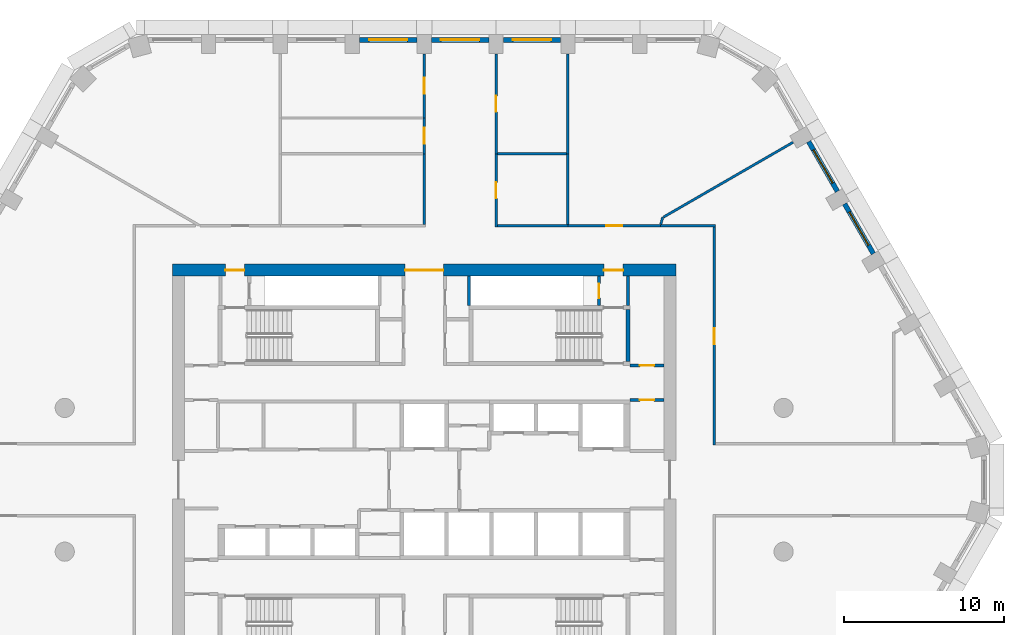
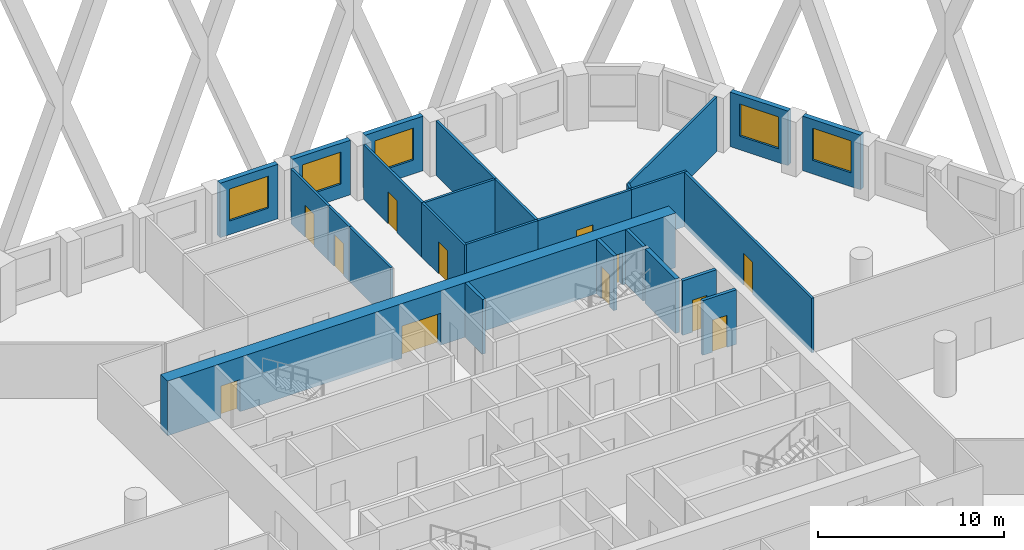
# One storey, part 7 of 17: 26 walls, 12 doors, 5 windows, 17 openings.
"""IFC4 building model written with IfcOpenShell, lengths in metres."""

from ifc_helpers import new_model, si_unit, direction, frame, frame_2d, origin, place, context, subcontext, project, spatial, rectangle, extrude, material, layer, layer_set, type_object, element, fill, save


model = new_model("IFC4")

# Units and contexts
model_context = context("Model", 3, precision=1e-05, world=origin(), true_north=direction((0.0, 1.0)))
body_context = subcontext(model_context, "Body", "Model", "MODEL_VIEW")
ifc_project = project(units=[si_unit("LENGTHUNIT", "METRE"), si_unit("AREAUNIT", "SQUARE_METRE"), si_unit("VOLUMEUNIT", "CUBIC_METRE"), si_unit("PLANEANGLEUNIT", "RADIAN"), si_unit("MASSUNIT", "GRAM", prefix="KILO")], contexts=[model_context])

# Site, building, storey
site_placement = place(None, origin())
site = spatial("IfcSite", under=ifc_project, at=site_placement, CompositionType="ELEMENT")
building_placement = place(site_placement, origin())
building = spatial("IfcBuilding", under=site, at=building_placement, Name="Dhurran Vertical Campus", CompositionType="ELEMENT")
storey_placement = place(building_placement, frame((0.0, 0.0, 156.0)))
storey = spatial("IfcBuildingStorey", under=building, at=storey_placement, Name="L38", CompositionType="ELEMENT", Elevation=156.0)

# Wall, opening, window
ifc_material_1 = material(Name="Precast concrete C50/60", Category="concrete")
ifc_layer_1 = layer(ifc_material_1, 0.300048828125)
ifc_layer_set_1 = layer_set([ifc_layer_1], Name="Precast concrete C50/60")
wall_type_1 = type_object("IfcWallType", Name="Precast spandrel wall 300", PredefinedType="SOLIDWALL", material=ifc_layer_set_1)
wall_1_placement = place(storey_placement, frame((28.118896484375, 14.156494140625, 0.0), z_axis=(0.0, 0.0, 1.0), x_axis=(-0.500027802648, 0.866009351323, 0.0)))
wall_1 = element("IfcWall", 1, at=wall_1_placement, inside=storey, type_object=wall_type_1, Name="EW1 L38.19", PredefinedType="SOLIDWALL", context=body_context, shape_type="SweptSolid", body=[
    extrude(rectangle(XDim=3.598876953125, YDim=0.300048828125, at=frame_2d((1.79931640625, 0.0))), origin(), (0.0, 0.0, 1.0), 3.574951171875),
])
opening_1_placement = place(wall_1_placement, frame((0.599609375, 0.0, 0.89990234375)))
opening_1 = element("IfcOpeningElement", 2, at=opening_1_placement, cuts=wall_1, Name="Opening WT1", PredefinedType="OPENING", context=body_context, shape_type="SweptSolid", body=[
    extrude(rectangle(XDim=2.39990234375, YDim=2.10009765625, at=frame_2d((1.199951171875, 1.050048828125))), frame((0.0, 0.159912109375, 0.0), z_axis=(0.0, -1.0, 0.0), x_axis=(1.0, 0.0, 0.0)), (0.0, 0.0, 1.0), 0.320068359375),
])
ifc_material_2 = material(Name="Aluminium frame with solar-control glass", Category="aluminium")
window_type = type_object("IfcWindowType", Name="Punched window 2400 x 2100", PartitioningType="SINGLE_PANEL", PredefinedType="WINDOW", material=ifc_material_2)
window_1_placement = place(opening_1_placement, origin())
window_1 = element("IfcWindow", 3, at=window_1_placement, inside=storey, type_object=window_type, Name="WT1 L38.19", OverallHeight=2.10009765625, OverallWidth=2.39990234375, PartitioningType="SINGLE_PANEL", PredefinedType="WINDOW", context=body_context, shape_type="SweptSolid", body=[
    extrude(rectangle(XDim=2.39990234375, YDim=2.10009765625, at=frame_2d((1.199951171875, 1.050048828125))), frame((0.0, 0.030029296875, 0.0), z_axis=(0.0, -1.0, 0.0), x_axis=(1.0, 0.0, 0.0)), (0.0, 0.0, 1.0), 0.06005859375),
])
fill(opening_1, window_1)

wall_2_placement = place(storey_placement, frame((25.868896484375, 18.0537109375, 0.0), z_axis=(0.0, 0.0, 1.0), x_axis=(-0.500027802648, 0.866009351323, 0.0)))
wall_2 = element("IfcWall", 4, at=wall_2_placement, inside=storey, type_object=wall_type_1, Name="EW1 L38.20", PredefinedType="SOLIDWALL", context=body_context, shape_type="SweptSolid", body=[
    extrude(rectangle(XDim=3.598876953125, YDim=0.300048828125, at=frame_2d((1.79931640625, 0.0))), origin(), (0.0, 0.0, 1.0), 3.574951171875),
])
opening_2_placement = place(wall_2_placement, frame((0.599609375, 0.0, 0.89990234375)))
opening_2 = element("IfcOpeningElement", 5, at=opening_2_placement, cuts=wall_2, Name="Opening WT1", PredefinedType="OPENING", context=body_context, shape_type="SweptSolid", body=[
    extrude(rectangle(XDim=2.39990234375, YDim=2.10009765625, at=frame_2d((1.199951171875, 1.050048828125))), frame((0.0, 0.159912109375, 0.0), z_axis=(0.0, -1.0, 0.0), x_axis=(1.0, 0.0, 0.0)), (0.0, 0.0, 1.0), 0.320068359375),
])
window_2_placement = place(opening_2_placement, origin())
window_2 = element("IfcWindow", 6, at=window_2_placement, inside=storey, type_object=window_type, Name="WT1 L38.20", OverallHeight=2.10009765625, OverallWidth=2.39990234375, PartitioningType="SINGLE_PANEL", PredefinedType="WINDOW", context=body_context, shape_type="SweptSolid", body=[
    extrude(rectangle(XDim=2.39990234375, YDim=2.10009765625, at=frame_2d((1.199951171875, 1.050048828125))), frame((0.0, 0.030029296875, 0.0), z_axis=(0.0, -1.0, 0.0), x_axis=(1.0, 0.0, 0.0)), (0.0, 0.0, 1.0), 0.06005859375),
])
fill(opening_2, window_2)

wall_3_placement = place(storey_placement, frame((8.549560546875, 27.53271484375, 0.0), z_axis=(0.0, 0.0, 1.0), x_axis=(-1.0, 0.0, 0.0)))
wall_3 = element("IfcWall", 7, at=wall_3_placement, inside=storey, type_object=wall_type_1, Name="EW1 L38.25", PredefinedType="SOLIDWALL", context=body_context, shape_type="SweptSolid", body=[
    extrude(rectangle(XDim=3.59912109375, YDim=0.300048828125, at=frame_2d((1.799560546875, 0.0))), origin(), (0.0, 0.0, 1.0), 3.574951171875),
])
opening_3_placement = place(wall_3_placement, frame((0.599609375, 0.0, 0.89990234375)))
opening_3 = element("IfcOpeningElement", 8, at=opening_3_placement, cuts=wall_3, Name="Opening WT1", PredefinedType="OPENING", context=body_context, shape_type="SweptSolid", body=[
    extrude(rectangle(XDim=2.39990234375, YDim=2.10009765625, at=frame_2d((1.199951171875, 1.050048828125))), frame((0.0, 0.159912109375, 0.0), z_axis=(0.0, -1.0, 0.0), x_axis=(1.0, 0.0, 0.0)), (0.0, 0.0, 1.0), 0.320068359375),
])
window_3_placement = place(opening_3_placement, origin())
window_3 = element("IfcWindow", 9, at=window_3_placement, inside=storey, type_object=window_type, Name="WT1 L38.25", OverallHeight=2.10009765625, OverallWidth=2.39990234375, PartitioningType="SINGLE_PANEL", PredefinedType="WINDOW", context=body_context, shape_type="SweptSolid", body=[
    extrude(rectangle(XDim=2.39990234375, YDim=2.10009765625, at=frame_2d((1.199951171875, 1.050048828125))), frame((0.0, 0.030029296875, 0.0), z_axis=(0.0, -1.0, 0.0), x_axis=(1.0, 0.0, 0.0)), (0.0, 0.0, 1.0), 0.06005859375),
])
fill(opening_3, window_3)

wall_4_placement = place(storey_placement, frame((4.049560546875, 27.53271484375, 0.0), z_axis=(0.0, 0.0, 1.0), x_axis=(-1.0, 0.0, 0.0)))
wall_4 = element("IfcWall", 10, at=wall_4_placement, inside=storey, type_object=wall_type_1, Name="EW1 L38.26", PredefinedType="SOLIDWALL", context=body_context, shape_type="SweptSolid", body=[
    extrude(rectangle(XDim=3.59912109375, YDim=0.300048828125, at=frame_2d((1.799560546875, 0.0))), origin(), (0.0, 0.0, 1.0), 3.574951171875),
])
opening_4_placement = place(wall_4_placement, frame((0.599609375, 0.0, 0.89990234375)))
opening_4 = element("IfcOpeningElement", 11, at=opening_4_placement, cuts=wall_4, Name="Opening WT1", PredefinedType="OPENING", context=body_context, shape_type="SweptSolid", body=[
    extrude(rectangle(XDim=2.39990234375, YDim=2.10009765625, at=frame_2d((1.199951171875, 1.050048828125))), frame((0.0, 0.159912109375, 0.0), z_axis=(0.0, -1.0, 0.0), x_axis=(1.0, 0.0, 0.0)), (0.0, 0.0, 1.0), 0.320068359375),
])
window_4_placement = place(opening_4_placement, origin())
window_4 = element("IfcWindow", 12, at=window_4_placement, inside=storey, type_object=window_type, Name="WT1 L38.26", OverallHeight=2.10009765625, OverallWidth=2.39990234375, PartitioningType="SINGLE_PANEL", PredefinedType="WINDOW", context=body_context, shape_type="SweptSolid", body=[
    extrude(rectangle(XDim=2.39990234375, YDim=2.10009765625, at=frame_2d((1.199951171875, 1.050048828125))), frame((0.0, 0.030029296875, 0.0), z_axis=(0.0, -1.0, 0.0), x_axis=(1.0, 0.0, 0.0)), (0.0, 0.0, 1.0), 0.06005859375),
])
fill(opening_4, window_4)

wall_5_placement = place(storey_placement, frame((-0.450439453125, 27.53271484375, 0.0), z_axis=(0.0, 0.0, 1.0), x_axis=(-1.0, 0.0, 0.0)))
wall_5 = element("IfcWall", 13, at=wall_5_placement, inside=storey, type_object=wall_type_1, Name="EW1 L38.27", PredefinedType="SOLIDWALL", context=body_context, shape_type="SweptSolid", body=[
    extrude(rectangle(XDim=3.59912109375, YDim=0.300048828125, at=frame_2d((1.799560546875, 0.0))), origin(), (0.0, 0.0, 1.0), 3.574951171875),
])
opening_5_placement = place(wall_5_placement, frame((0.599609375, 0.0, 0.89990234375)))
opening_5 = element("IfcOpeningElement", 14, at=opening_5_placement, cuts=wall_5, Name="Opening WT1", PredefinedType="OPENING", context=body_context, shape_type="SweptSolid", body=[
    extrude(rectangle(XDim=2.39990234375, YDim=2.10009765625, at=frame_2d((1.199951171875, 1.050048828125))), frame((0.0, 0.159912109375, 0.0), z_axis=(0.0, -1.0, 0.0), x_axis=(1.0, 0.0, 0.0)), (0.0, 0.0, 1.0), 0.320068359375),
])
window_5_placement = place(opening_5_placement, origin())
window_5 = element("IfcWindow", 15, at=window_5_placement, inside=storey, type_object=window_type, Name="WT1 L38.27", OverallHeight=2.10009765625, OverallWidth=2.39990234375, PartitioningType="SINGLE_PANEL", PredefinedType="WINDOW", context=body_context, shape_type="SweptSolid", body=[
    extrude(rectangle(XDim=2.39990234375, YDim=2.10009765625, at=frame_2d((1.199951171875, 1.050048828125))), frame((0.0, 0.030029296875, 0.0), z_axis=(0.0, -1.0, 0.0), x_axis=(1.0, 0.0, 0.0)), (0.0, 0.0, 1.0), 0.06005859375),
])
fill(opening_5, window_5)

# Wall, openings, doors
ifc_material_3 = material(Name="Concrete C60/75", Category="concrete")
ifc_layer_2 = layer(ifc_material_3, 0.75)
ifc_layer_set_2 = layer_set([ifc_layer_2], Name="Concrete C60/75")
wall_type_2 = type_object("IfcWallType", Name="co-CORE-WALL-C1-750", PredefinedType="SHEAR", material=ifc_layer_set_2)
wall_6_placement = place(storey_placement, frame((-15.75, 13.125, 0.0), z_axis=(0.0, 0.0, 1.0), x_axis=(1.0, 0.0, 0.0)))
wall_6 = element("IfcWall", 16, at=wall_6_placement, inside=storey, type_object=wall_type_2, Name="Core wall N L38", PredefinedType="SHEAR", context=body_context, shape_type="SweptSolid", body=[
    extrude(rectangle(XDim=31.5, YDim=0.75, at=frame_2d((15.75, 0.0))), origin(), (0.0, 0.0, 1.0), 3.574951171875),
])
opening_6_placement = place(wall_6_placement, frame((14.550048828125, 0.0, 0.0)))
opening_6 = element("IfcOpeningElement", 17, at=opening_6_placement, cuts=wall_6, Name="Opening CV1", PredefinedType="OPENING", context=body_context, shape_type="SweptSolid", body=[
    extrude(rectangle(XDim=2.39990234375, YDim=2.10009765625, at=frame_2d((1.199951171875, 1.050048828125))), frame((0.0, 0.385009765625, 0.0), z_axis=(0.0, -1.0, 0.0), x_axis=(1.0, 0.0, 0.0)), (0.0, 0.0, 1.0), 0.77001953125),
])
opening_7_placement = place(wall_6_placement, frame((3.300048828125, 0.0, 0.0)))
opening_7 = element("IfcOpeningElement", 18, at=opening_7_placement, cuts=wall_6, Name="Opening XD1", PredefinedType="OPENING", context=body_context, shape_type="SweptSolid", body=[
    extrude(rectangle(XDim=1.199951171875, YDim=2.10009765625, at=frame_2d((0.60009765625, 1.050048828125))), frame((0.0, 0.385009765625, 0.0), z_axis=(0.0, -1.0, 0.0), x_axis=(1.0, 0.0, 0.0)), (0.0, 0.0, 1.0), 0.77001953125),
])
opening_8_placement = place(wall_6_placement, frame((27.0, 0.0, 0.0)))
opening_8 = element("IfcOpeningElement", 19, at=opening_8_placement, cuts=wall_6, Name="Opening XD2", PredefinedType="OPENING", context=body_context, shape_type="SweptSolid", body=[
    extrude(rectangle(XDim=1.199951171875, YDim=2.10009765625, at=frame_2d((0.60009765625, 1.050048828125))), frame((0.0, 0.385009765625, 0.0), z_axis=(0.0, -1.0, 0.0), x_axis=(1.0, 0.0, 0.0)), (0.0, 0.0, 1.0), 0.77001953125),
])
ifc_material_4 = material(Name="Fire-rated glazed door set")
door_type_1 = type_object("IfcDoorType", Name="co-D-LOBBY 2400x2100", OperationType="DOUBLE_DOOR_DOUBLE_SWING", PredefinedType="DOOR", material=ifc_material_4)
door_1_placement = place(opening_6_placement, origin())
door_1 = element("IfcDoor", 20, at=door_1_placement, inside=storey, type_object=door_type_1, Name="Core vestibule door N L38", OperationType="DOUBLE_DOOR_DOUBLE_SWING", OverallHeight=2.10009765625, OverallWidth=2.39990234375, PredefinedType="DOOR", context=body_context, shape_type="SweptSolid", body=[
    extrude(rectangle(XDim=2.39990234375, YDim=2.10009765625, at=frame_2d((1.199951171875, 1.050048828125))), frame((0.0, 0.02490234375, 0.0), z_axis=(0.0, -1.0, 0.0), x_axis=(1.0, 0.0, 0.0)), (0.0, 0.0, 1.0), 0.050048828125),
])
fill(opening_6, door_1)
ifc_material_5 = material(Name="Fire-rated steel door set", Category="steel")
door_type_2 = type_object("IfcDoorType", Name="co-D-STAIR-EXIT 1200x2100", OperationType="SINGLE_SWING_RIGHT", PredefinedType="DOOR", material=ifc_material_5)
door_2_placement = place(opening_7_placement, origin())
door_2 = element("IfcDoor", 21, at=door_2_placement, inside=storey, type_object=door_type_2, Name="Stair ST1 exit door L38", OperationType="SINGLE_SWING_RIGHT", OverallHeight=2.10009765625, OverallWidth=1.199951171875, PredefinedType="DOOR", context=body_context, shape_type="SweptSolid", body=[
    extrude(rectangle(XDim=1.199951171875, YDim=2.10009765625, at=frame_2d((0.60009765625, 1.050048828125))), frame((0.0, 0.02490234375, 0.0), z_axis=(0.0, -1.0, 0.0), x_axis=(1.0, 0.0, 0.0)), (0.0, 0.0, 1.0), 0.050048828125),
])
fill(opening_7, door_2)
door_3_placement = place(opening_8_placement, origin())
door_3 = element("IfcDoor", 22, at=door_3_placement, inside=storey, type_object=door_type_2, Name="Stair ST2 exit door L38", OperationType="SINGLE_SWING_RIGHT", OverallHeight=2.10009765625, OverallWidth=1.199951171875, PredefinedType="DOOR", context=body_context, shape_type="SweptSolid", body=[
    extrude(rectangle(XDim=1.199951171875, YDim=2.10009765625, at=frame_2d((0.60009765625, 1.050048828125))), frame((0.0, 0.02490234375, 0.0), z_axis=(0.0, -1.0, 0.0), x_axis=(1.0, 0.0, 0.0)), (0.0, 0.0, 1.0), 0.050048828125),
])
fill(opening_8, door_3)

# Wall
ifc_material_6 = material(Name="Fire-rated masonry blockwork", Category="masonry")
ifc_layer_3 = layer(ifc_material_6, 0.199951171875)
ifc_layer_set_3 = layer_set([ifc_layer_3], Name="Fire-rated masonry blockwork")
wall_type_3 = type_object("IfcWallType", Name="co-FIRE-PARTITION-200", PredefinedType="PARTITIONING", material=ifc_layer_set_3)
wall_7_placement = place(storey_placement, frame((12.75, 10.89990234375, 0.0), z_axis=(0.0, 0.0, 1.0), x_axis=(0.0, 1.0, 0.0)))
element("IfcWall", 23, at=wall_7_placement, inside=storey, type_object=wall_type_3, Name="Core partition pass-ST2-o L38", PredefinedType="PARTITIONING", context=body_context, shape_type="SweptSolid", body=[
    extrude(rectangle(XDim=1.85009765625, YDim=0.199951171875, at=frame_2d((0.925048828125, 0.0))), origin(), (0.0, 0.0, 1.0), 3.574951171875),
])

# Wall, opening, door
wall_8_placement = place(storey_placement, frame((10.949951171875, 10.89990234375, 0.0), z_axis=(0.0, 0.0, 1.0), x_axis=(0.0, 1.0, 0.0)))
wall_8 = element("IfcWall", 24, at=wall_8_placement, inside=storey, type_object=wall_type_3, Name="Core partition pass-ST2-i L38", PredefinedType="PARTITIONING", context=body_context, shape_type="SweptSolid", body=[
    extrude(rectangle(XDim=1.85009765625, YDim=0.199951171875, at=frame_2d((0.925048828125, 0.0))), origin(), (0.0, 0.0, 1.0), 3.574951171875),
])
opening_9_placement = place(wall_8_placement, frame((0.47509765625, 0.0, 0.0)))
opening_9 = element("IfcOpeningElement", 25, at=opening_9_placement, cuts=wall_8, Name="Opening T11-C9", PredefinedType="OPENING", context=body_context, shape_type="SweptSolid", body=[
    extrude(rectangle(XDim=0.89990234375, YDim=2.10009765625, at=frame_2d((0.449951171875, 1.050048828125))), frame((0.0, 0.10986328125, 0.0), z_axis=(0.0, -1.0, 0.0), x_axis=(1.0, 0.0, 0.0)), (0.0, 0.0, 1.0), 0.219970703125),
])
ifc_material_7 = material(Name="Fire-rated timber door set", Category="wood")
door_type_3 = type_object("IfcDoorType", Name="co-D-ROOM 900x2100", OperationType="SINGLE_SWING_LEFT", PredefinedType="DOOR", material=ifc_material_7)
door_4_placement = place(opening_9_placement, origin())
door_4 = element("IfcDoor", 26, at=door_4_placement, inside=storey, type_object=door_type_3, Name="Riser room door L38", OperationType="SINGLE_SWING_LEFT", OverallHeight=2.10009765625, OverallWidth=0.89990234375, PredefinedType="DOOR", context=body_context, shape_type="SweptSolid", body=[
    extrude(rectangle(XDim=0.89990234375, YDim=2.10009765625, at=frame_2d((0.449951171875, 1.050048828125))), frame((0.0, 0.02490234375, 0.0), z_axis=(0.0, -1.0, 0.0), x_axis=(1.0, 0.0, 0.0)), (0.0, 0.0, 1.0), 0.050048828125),
])
fill(opening_9, door_4)

wall_9_placement = place(storey_placement, frame((12.89990234375, 7.14990234375, 0.0), z_axis=(0.0, 0.0, 1.0), x_axis=(1.0, 0.0, 0.0)))
wall_9 = element("IfcWall", 27, at=wall_9_placement, inside=storey, type_object=wall_type_3, Name="Core partition en-NE-w L38", PredefinedType="PARTITIONING", context=body_context, shape_type="SweptSolid", body=[
    extrude(rectangle(XDim=2.10009765625, YDim=0.199951171875, at=frame_2d((1.050048828125, 0.0))), origin(), (0.0, 0.0, 1.0), 3.574951171875),
])
opening_10_placement = place(wall_9_placement, frame((0.60009765625, 0.0, 0.0)))
opening_10 = element("IfcOpeningElement", 28, at=opening_10_placement, cuts=wall_9, Name="Opening T11-C14", PredefinedType="OPENING", context=body_context, shape_type="SweptSolid", body=[
    extrude(rectangle(XDim=0.89990234375, YDim=2.10009765625, at=frame_2d((0.449951171875, 1.050048828125))), frame((0.0, 0.10986328125, 0.0), z_axis=(0.0, -1.0, 0.0), x_axis=(1.0, 0.0, 0.0)), (0.0, 0.0, 1.0), 0.219970703125),
])
door_5_placement = place(opening_10_placement, origin())
door_5 = element("IfcDoor", 29, at=door_5_placement, inside=storey, type_object=door_type_3, Name="Waste room door L38", OperationType="SINGLE_SWING_LEFT", OverallHeight=2.10009765625, OverallWidth=0.89990234375, PredefinedType="DOOR", context=body_context, shape_type="SweptSolid", body=[
    extrude(rectangle(XDim=0.89990234375, YDim=2.10009765625, at=frame_2d((0.449951171875, 1.050048828125))), frame((0.0, 0.02490234375, 0.0), z_axis=(0.0, -1.0, 0.0), x_axis=(1.0, 0.0, 0.0)), (0.0, 0.0, 1.0), 0.050048828125),
])
fill(opening_10, door_5)

wall_10_placement = place(storey_placement, frame((12.89990234375, 5.0, 0.0), z_axis=(0.0, 0.0, 1.0), x_axis=(1.0, 0.0, 0.0)))
wall_10 = element("IfcWall", 30, at=wall_10_placement, inside=storey, type_object=wall_type_3, Name="Core partition es-NE-w L38", PredefinedType="PARTITIONING", context=body_context, shape_type="SweptSolid", body=[
    extrude(rectangle(XDim=2.10009765625, YDim=0.199951171875, at=frame_2d((1.050048828125, 0.0))), origin(), (0.0, 0.0, 1.0), 3.574951171875),
])
opening_11_placement = place(wall_10_placement, frame((0.60009765625, 0.0, 0.0)))
opening_11 = element("IfcOpeningElement", 31, at=opening_11_placement, cuts=wall_10, Name="Opening T11-C15", PredefinedType="OPENING", context=body_context, shape_type="SweptSolid", body=[
    extrude(rectangle(XDim=0.89990234375, YDim=2.10009765625, at=frame_2d((0.449951171875, 1.050048828125))), frame((0.0, 0.10986328125, 0.0), z_axis=(0.0, -1.0, 0.0), x_axis=(1.0, 0.0, 0.0)), (0.0, 0.0, 1.0), 0.219970703125),
])
door_6_placement = place(opening_11_placement, origin())
door_6 = element("IfcDoor", 32, at=door_6_placement, inside=storey, type_object=door_type_3, Name="Plant room door L38", OperationType="SINGLE_SWING_LEFT", OverallHeight=2.10009765625, OverallWidth=0.89990234375, PredefinedType="DOOR", context=body_context, shape_type="SweptSolid", body=[
    extrude(rectangle(XDim=0.89990234375, YDim=2.10009765625, at=frame_2d((0.449951171875, 1.050048828125))), frame((0.0, 0.02490234375, 0.0), z_axis=(0.0, -1.0, 0.0), x_axis=(1.0, 0.0, 0.0)), (0.0, 0.0, 1.0), 0.050048828125),
])
fill(opening_11, door_6)

# Walls
wall_11_placement = place(storey_placement, frame((2.800048828125, 10.90087890625, 0.0), z_axis=(0.0, 0.0, 1.0), x_axis=(0.0, 1.0, 0.0)))
element("IfcWall", 33, at=wall_11_placement, inside=storey, type_object=wall_type_3, Name="Riser enclosure wall L38", PredefinedType="PARTITIONING", context=body_context, shape_type="SweptSolid", body=[
    extrude(rectangle(XDim=1.84814453125, YDim=0.199951171875, at=frame_2d((0.924072265625, 0.0))), origin(), (0.0, 0.0, 1.0), 3.574951171875),
])
ifc_material_8 = material(Name="Concrete C40/50", Category="concrete")
ifc_layer_4 = layer(ifc_material_8, 0.25)
ifc_layer_set_4 = layer_set([ifc_layer_4], Name="Concrete C40/50")
wall_type_4 = type_object("IfcWallType", Name="co-STAIR-WALL-250", PredefinedType="SHEAR", material=ifc_layer_set_4)
wall_12_placement = place(storey_placement, frame((12.77490234375, 7.39990234375, 0.0), z_axis=(0.0, 0.0, 1.0), x_axis=(0.0, 1.0, 0.0)))
element("IfcWall", 34, at=wall_12_placement, inside=storey, type_object=wall_type_4, Name="Stair ST2 enclosure wall L38", PredefinedType="SHEAR", context=body_context, shape_type="SweptSolid", body=[
    extrude(rectangle(XDim=3.25, YDim=0.25, at=frame_2d((1.625, 0.0))), origin(), (0.0, 0.0, 1.0), 3.574951171875),
])
ifc_material_9 = material(Name="Gypsum board corridor wall on steel studs", Category="steel")
ifc_layer_5 = layer(ifc_material_9, 0.14990234375)
ifc_layer_set_5 = layer_set([ifc_layer_5], Name="Gypsum board corridor wall on steel studs")
wall_type_5 = type_object("IfcWallType", Name="fl-CW-150 corridor wall", PredefinedType="PARTITIONING", material=ifc_layer_set_5)
wall_13_placement = place(storey_placement, frame((0.0, 15.97509765625, 0.0), z_axis=(0.0, 0.0, 1.0), x_axis=(0.0, 1.0, 0.0)))
element("IfcWall", 35, at=wall_13_placement, inside=storey, type_object=wall_type_5, Name="Partition 38-21", PredefinedType="PARTITIONING", context=body_context, shape_type="SweptSolid", body=[
    extrude(rectangle(XDim=4.4248046875, YDim=0.14990234375, at=frame_2d((2.21240234375, 0.0))), origin(), (0.0, 0.0, 1.0), 3.574951171875),
])

# Wall, opening, door
wall_14_placement = place(storey_placement, frame((0.0, 20.39990234375, 0.0), z_axis=(0.0, 0.0, 1.0), x_axis=(0.0, 1.0, 0.0)))
wall_14 = element("IfcWall", 36, at=wall_14_placement, inside=storey, type_object=wall_type_5, Name="Partition 38-22", PredefinedType="PARTITIONING", context=body_context, shape_type="SweptSolid", body=[
    extrude(rectangle(XDim=2.25, YDim=0.14990234375, at=frame_2d((1.125, 0.0))), origin(), (0.0, 0.0, 1.0), 3.574951171875),
])
opening_12_placement = place(wall_14_placement, frame((0.625, 0.0, 0.0)))
opening_12 = element("IfcOpeningElement", 37, at=opening_12_placement, cuts=wall_14, Name="Opening T11.07", PredefinedType="OPENING", context=body_context, shape_type="SweptSolid", body=[
    extrude(rectangle(XDim=1.0, YDim=2.10009765625, at=frame_2d((0.5, 1.050048828125))), frame((0.0, 0.0849609375, 0.0), z_axis=(0.0, -1.0, 0.0), x_axis=(1.0, 0.0, 0.0)), (0.0, 0.0, 1.0), 0.169921875),
])
ifc_material_10 = material(Name="Solid-core timber door set, fire-rated", Category="wood")
door_type_4 = type_object("IfcDoorType", Name="fl-D-1000x2100", OperationType="SINGLE_SWING_LEFT", PredefinedType="DOOR", material=ifc_material_10)
door_7_placement = place(opening_12_placement, origin())
door_7 = element("IfcDoor", 38, at=door_7_placement, inside=storey, type_object=door_type_4, Name="Door 38.07", OperationType="SINGLE_SWING_LEFT", OverallHeight=2.10009765625, OverallWidth=1.0, PredefinedType="DOOR", context=body_context, shape_type="SweptSolid", body=[
    extrude(rectangle(XDim=1.0, YDim=2.10009765625, at=frame_2d((0.5, 1.050048828125))), frame((0.0, 0.02490234375, 0.0), z_axis=(0.0, -1.0, 0.0), x_axis=(1.0, 0.0, 0.0)), (0.0, 0.0, 1.0), 0.050048828125),
])
fill(opening_12, door_7)

wall_15_placement = place(storey_placement, frame((0.0, 22.64990234375, 0.0), z_axis=(0.0, 0.0, 1.0), x_axis=(0.0, 1.0, 0.0)))
wall_15 = element("IfcWall", 39, at=wall_15_placement, inside=storey, type_object=wall_type_5, Name="Partition 38-23", PredefinedType="PARTITIONING", context=body_context, shape_type="SweptSolid", body=[
    extrude(rectangle(XDim=4.0126953125, YDim=0.14990234375, at=frame_2d((2.00634765625, 0.0))), origin(), (0.0, 0.0, 1.0), 3.574951171875),
])
opening_13_placement = place(wall_15_placement, frame((1.50634765625, 0.0, 0.0)))
opening_13 = element("IfcOpeningElement", 40, at=opening_13_placement, cuts=wall_15, Name="Opening T11.08", PredefinedType="OPENING", context=body_context, shape_type="SweptSolid", body=[
    extrude(rectangle(XDim=1.0, YDim=2.10009765625, at=frame_2d((0.5, 1.050048828125))), frame((0.0, 0.0849609375, 0.0), z_axis=(0.0, -1.0, 0.0), x_axis=(1.0, 0.0, 0.0)), (0.0, 0.0, 1.0), 0.169921875),
])
door_8_placement = place(opening_13_placement, origin())
door_8 = element("IfcDoor", 41, at=door_8_placement, inside=storey, type_object=door_type_4, Name="Door 38.08", OperationType="SINGLE_SWING_RIGHT", OverallHeight=2.10009765625, OverallWidth=1.0, PredefinedType="DOOR", context=body_context, shape_type="SweptSolid", body=[
    extrude(rectangle(XDim=1.0, YDim=2.10009765625, at=frame_2d((0.5, 1.050048828125))), frame((0.0, 0.02490234375, 0.0), z_axis=(0.0, -1.0, 0.0), x_axis=(1.0, 0.0, 0.0)), (0.0, 0.0, 1.0), 0.050048828125),
])
fill(opening_13, door_8)

wall_16_placement = place(storey_placement, frame((4.5, 20.39990234375, 0.0), z_axis=(0.0, 0.0, 1.0), x_axis=(0.0, -1.0, 0.0)))
wall_16 = element("IfcWall", 42, at=wall_16_placement, inside=storey, type_object=wall_type_5, Name="Partition 38-26", PredefinedType="PARTITIONING", context=body_context, shape_type="SweptSolid", body=[
    extrude(rectangle(XDim=4.574951171875, YDim=0.14990234375, at=frame_2d((2.28759765625, 0.0))), origin(), (0.0, 0.0, 1.0), 3.574951171875),
])
opening_14_placement = place(wall_16_placement, frame((1.78759765625, 0.0, 0.0)))
opening_14 = element("IfcOpeningElement", 43, at=opening_14_placement, cuts=wall_16, Name="Opening T11.10", PredefinedType="OPENING", context=body_context, shape_type="SweptSolid", body=[
    extrude(rectangle(XDim=1.0, YDim=2.10009765625, at=frame_2d((0.5, 1.050048828125))), frame((0.0, 0.0849609375, 0.0), z_axis=(0.0, -1.0, 0.0), x_axis=(1.0, 0.0, 0.0)), (0.0, 0.0, 1.0), 0.169921875),
])
door_9_placement = place(opening_14_placement, origin())
door_9 = element("IfcDoor", 44, at=door_9_placement, inside=storey, type_object=door_type_4, Name="Door 38.10", OperationType="SINGLE_SWING_RIGHT", OverallHeight=2.10009765625, OverallWidth=1.0, PredefinedType="DOOR", context=body_context, shape_type="SweptSolid", body=[
    extrude(rectangle(XDim=1.0, YDim=2.10009765625, at=frame_2d((0.5, 1.050048828125))), frame((0.0, 0.02490234375, 0.0), z_axis=(0.0, -1.0, 0.0), x_axis=(1.0, 0.0, 0.0)), (0.0, 0.0, 1.0), 0.050048828125),
])
fill(opening_14, door_9)

# Wall
wall_17_placement = place(storey_placement, frame((9.0, 15.89990234375, 0.0), z_axis=(0.0, 0.0, 1.0), x_axis=(-1.0, 0.0, 0.0)))
element("IfcWall", 45, at=wall_17_placement, inside=storey, type_object=wall_type_5, Name="Partition 38-27", PredefinedType="PARTITIONING", context=body_context, shape_type="SweptSolid", body=[
    extrude(rectangle(XDim=4.425048828125, YDim=0.14990234375, at=frame_2d((2.21240234375, 0.0))), origin(), (0.0, 0.0, 1.0), 3.574951171875),
])

# Wall, opening, door
wall_18_placement = place(storey_placement, frame((4.5, 26.66259765625, 0.0), z_axis=(0.0, 0.0, 1.0), x_axis=(0.0, -1.0, 0.0)))
wall_18 = element("IfcWall", 46, at=wall_18_placement, inside=storey, type_object=wall_type_5, Name="Partition 38-28", PredefinedType="PARTITIONING", context=body_context, shape_type="SweptSolid", body=[
    extrude(rectangle(XDim=6.2626953125, YDim=0.14990234375, at=frame_2d((3.13134765625, 0.0))), origin(), (0.0, 0.0, 1.0), 3.574951171875),
])
opening_15_placement = place(wall_18_placement, frame((2.63134765625, 0.0, 0.0)))
opening_15 = element("IfcOpeningElement", 47, at=opening_15_placement, cuts=wall_18, Name="Opening T11.11", PredefinedType="OPENING", context=body_context, shape_type="SweptSolid", body=[
    extrude(rectangle(XDim=1.0, YDim=2.10009765625, at=frame_2d((0.5, 1.050048828125))), frame((0.0, 0.0849609375, 0.0), z_axis=(0.0, -1.0, 0.0), x_axis=(1.0, 0.0, 0.0)), (0.0, 0.0, 1.0), 0.169921875),
])
door_10_placement = place(opening_15_placement, origin())
door_10 = element("IfcDoor", 48, at=door_10_placement, inside=storey, type_object=door_type_4, Name="Door 38.11", OperationType="SINGLE_SWING_RIGHT", OverallHeight=2.10009765625, OverallWidth=1.0, PredefinedType="DOOR", context=body_context, shape_type="SweptSolid", body=[
    extrude(rectangle(XDim=1.0, YDim=2.10009765625, at=frame_2d((0.5, 1.050048828125))), frame((0.0, 0.02490234375, 0.0), z_axis=(0.0, -1.0, 0.0), x_axis=(1.0, 0.0, 0.0)), (0.0, 0.0, 1.0), 0.050048828125),
])
fill(opening_15, door_10)

wall_19_placement = place(storey_placement, frame((14.7890625, 15.89990234375, 0.0), z_axis=(0.0, 0.0, 1.0), x_axis=(-1.0, 0.0, 0.0)))
wall_19 = element("IfcWall", 49, at=wall_19_placement, inside=storey, type_object=wall_type_5, Name="Partition 38-31", PredefinedType="PARTITIONING", context=body_context, shape_type="SweptSolid", body=[
    extrude(rectangle(XDim=5.7890625, YDim=0.14990234375, at=frame_2d((2.89453125, 0.0))), origin(), (0.0, 0.0, 1.0), 3.574951171875),
])
opening_16_placement = place(wall_19_placement, frame((2.39453125, 0.0, 0.0)))
opening_16 = element("IfcOpeningElement", 50, at=opening_16_placement, cuts=wall_19, Name="Opening T11.13", PredefinedType="OPENING", context=body_context, shape_type="SweptSolid", body=[
    extrude(rectangle(XDim=1.0, YDim=2.10009765625, at=frame_2d((0.5, 1.050048828125))), frame((0.0, 0.0849609375, 0.0), z_axis=(0.0, -1.0, 0.0), x_axis=(1.0, 0.0, 0.0)), (0.0, 0.0, 1.0), 0.169921875),
])
door_11_placement = place(opening_16_placement, origin())
door_11 = element("IfcDoor", 51, at=door_11_placement, inside=storey, type_object=door_type_4, Name="Door 38.13", OperationType="SINGLE_SWING_RIGHT", OverallHeight=2.10009765625, OverallWidth=1.0, PredefinedType="DOOR", context=body_context, shape_type="SweptSolid", body=[
    extrude(rectangle(XDim=1.0, YDim=2.10009765625, at=frame_2d((0.5, 1.050048828125))), frame((0.0, 0.02490234375, 0.0), z_axis=(0.0, -1.0, 0.0), x_axis=(1.0, 0.0, 0.0)), (0.0, 0.0, 1.0), 0.050048828125),
])
fill(opening_16, door_11)

# Wall
wall_20_placement = place(storey_placement, frame((18.22509765625, 15.89990234375, 0.0), z_axis=(0.0, 0.0, 1.0), x_axis=(-1.0, 0.0, 0.0)))
element("IfcWall", 52, at=wall_20_placement, inside=storey, type_object=wall_type_5, Name="Partition 38-36", PredefinedType="PARTITIONING", context=body_context, shape_type="SweptSolid", body=[
    extrude(rectangle(XDim=3.43603515625, YDim=0.14990234375, at=frame_2d((1.718017578125, 0.0))), origin(), (0.0, 0.0, 1.0), 3.574951171875),
])

# Wall, opening, door
wall_21_placement = place(storey_placement, frame((18.14990234375, 2.175048828125, 0.0), z_axis=(0.0, 0.0, 1.0), x_axis=(0.0, 1.0, 0.0)))
wall_21 = element("IfcWall", 53, at=wall_21_placement, inside=storey, type_object=wall_type_5, Name="Partition 38-42", PredefinedType="PARTITIONING", context=body_context, shape_type="SweptSolid", body=[
    extrude(rectangle(XDim=13.64990234375, YDim=0.14990234375, at=frame_2d((6.824951171875, 0.0))), origin(), (0.0, 0.0, 1.0), 3.574951171875),
])
opening_17_placement = place(wall_21_placement, frame((6.324951171875, 0.0, 0.0)))
opening_17 = element("IfcOpeningElement", 54, at=opening_17_placement, cuts=wall_21, Name="Opening T11.15", PredefinedType="OPENING", context=body_context, shape_type="SweptSolid", body=[
    extrude(rectangle(XDim=1.0, YDim=2.10009765625, at=frame_2d((0.5, 1.050048828125))), frame((0.0, 0.0849609375, 0.0), z_axis=(0.0, -1.0, 0.0), x_axis=(1.0, 0.0, 0.0)), (0.0, 0.0, 1.0), 0.169921875),
])
door_12_placement = place(opening_17_placement, origin())
door_12 = element("IfcDoor", 55, at=door_12_placement, inside=storey, type_object=door_type_4, Name="Door 38.15", OperationType="SINGLE_SWING_RIGHT", OverallHeight=2.10009765625, OverallWidth=1.0, PredefinedType="DOOR", context=body_context, shape_type="SweptSolid", body=[
    extrude(rectangle(XDim=1.0, YDim=2.10009765625, at=frame_2d((0.5, 1.050048828125))), frame((0.0, 0.02490234375, 0.0), z_axis=(0.0, -1.0, 0.0), x_axis=(1.0, 0.0, 0.0)), (0.0, 0.0, 1.0), 0.050048828125),
])
fill(opening_17, door_12)

# Walls
ifc_material_11 = material(Name="Gypsum board partition on steel studs", Category="steel")
ifc_layer_6 = layer(ifc_material_11, 0.14990234375)
ifc_layer_set_6 = layer_set([ifc_layer_6], Name="Gypsum board partition on steel studs")
wall_type_6 = type_object("IfcWallType", Name="fl-PW-150 fixed partition", PredefinedType="PARTITIONING", material=ifc_layer_set_6)
wall_22_placement = place(storey_placement, frame((4.574951171875, 20.39990234375, 0.0), z_axis=(0.0, 0.0, 1.0), x_axis=(1.0, 0.0, 0.0)))
element("IfcWall", 56, at=wall_22_placement, inside=storey, type_object=wall_type_6, Name="Partition 38-29", PredefinedType="PARTITIONING", context=body_context, shape_type="SweptSolid", body=[
    extrude(rectangle(XDim=4.35009765625, YDim=0.14990234375, at=frame_2d((2.175048828125, 0.0))), origin(), (0.0, 0.0, 1.0), 3.574951171875),
])
wall_23_placement = place(storey_placement, frame((9.0, 20.39990234375, 0.0), z_axis=(0.0, 0.0, 1.0), x_axis=(0.0, -1.0, 0.0)))
element("IfcWall", 57, at=wall_23_placement, inside=storey, type_object=wall_type_6, Name="Partition 38-30", PredefinedType="PARTITIONING", context=body_context, shape_type="SweptSolid", body=[
    extrude(rectangle(XDim=4.4248046875, YDim=0.14990234375, at=frame_2d((2.21240234375, 0.0))), origin(), (0.0, 0.0, 1.0), 3.574951171875),
])
wall_24_placement = place(storey_placement, frame((9.0, 26.66259765625, 0.0), z_axis=(0.0, 0.0, 1.0), x_axis=(0.0, -1.0, 0.0)))
element("IfcWall", 58, at=wall_24_placement, inside=storey, type_object=wall_type_6, Name="Partition 38-32", PredefinedType="PARTITIONING", context=body_context, shape_type="SweptSolid", body=[
    extrude(rectangle(XDim=6.2626953125, YDim=0.14990234375, at=frame_2d((3.13134765625, 0.0))), origin(), (0.0, 0.0, 1.0), 3.574951171875),
])
wall_25_placement = place(storey_placement, frame((14.93505859375, 16.44580078125, 0.0), z_axis=(0.0, 0.0, 1.0), x_axis=(-0.258147545917, -0.966105503833, 0.0)))
element("IfcWall", 59, at=wall_25_placement, inside=storey, type_object=wall_type_6, Name="Partition 38-35", PredefinedType="PARTITIONING", context=body_context, shape_type="SweptSolid", body=[
    extrude(rectangle(XDim=0.469970703125, YDim=0.14990234375, at=frame_2d((0.23486328125, 0.0))), origin(), (0.0, 0.0, 1.0), 3.574951171875),
])
wall_26_placement = place(storey_placement, frame((23.09033203125, 21.1259765625, 0.0), z_axis=(0.0, 0.0, 1.0), x_axis=(-0.86600952399, -0.500027503603, 0.0)))
element("IfcWall", 60, at=wall_26_placement, inside=storey, type_object=wall_type_6, Name="Partition 38-37", PredefinedType="PARTITIONING", context=body_context, shape_type="SweptSolid", body=[
    extrude(rectangle(XDim=9.3525390625, YDim=0.14990234375, at=frame_2d((4.67626953125, 0.0))), origin(), (0.0, 0.0, 1.0), 3.574951171875),
])

save(model, "model.ifc")
